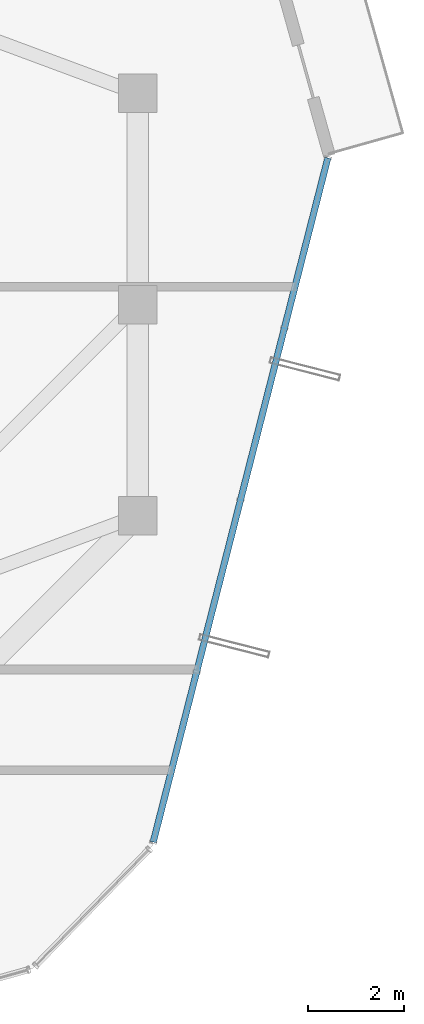
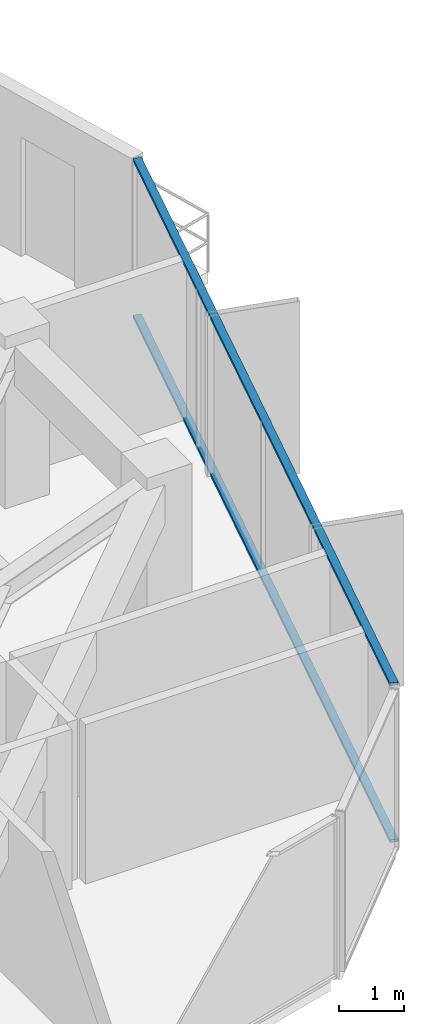
# One storey, part 19 of 29: 2 members, 1 element without a shape of its own.
"""IFC4 building model written with IfcOpenShell, lengths in metres."""

from ifc_helpers import new_model, si_unit, direction, frame, origin, origin_2d, place, context, subcontext, project, spatial, hollow_rectangle, extrude, source, transform, mapped, material, layer, layer_set, material_profile, profile_set, type_object, element, aggregate, save


model = new_model("IFC4")

# Units and contexts
model_context = context("Model", 3, precision=1e-05, world=origin(), true_north=direction((0.0, 1.0)))
body_context = subcontext(model_context, "Body", "Model", "MODEL_VIEW")
ifc_project = project(units=[si_unit("LENGTHUNIT", "METRE"), si_unit("AREAUNIT", "SQUARE_METRE"), si_unit("VOLUMEUNIT", "CUBIC_METRE"), si_unit("PLANEANGLEUNIT", "RADIAN"), si_unit("MASSUNIT", "GRAM", prefix="KILO")], contexts=[model_context])

# Site, building, storey
site_placement = place(None, origin())
site = spatial("IfcSite", under=ifc_project, at=site_placement, CompositionType="ELEMENT")
building_placement = place(site_placement, origin())
building = spatial("IfcBuilding", under=site, at=building_placement, Name="Veraguas Prism Commons", CompositionType="ELEMENT")
storey_placement = place(building_placement, frame((0.0, 0.0, 257.75)))
storey = spatial("IfcBuildingStorey", under=building, at=storey_placement, Name="L73", CompositionType="ELEMENT", Elevation=257.75)

# Curtain wall, members
ifc_material = material(Name="Anodised aluminium EN AW-6063 T6", Category="aluminium")
ifc_layer = layer(ifc_material, 0.14990234375, Name="Unitised Flush Curtain Wall Zone 4", Category="aluminium")
ifc_layer_set = layer_set([ifc_layer], Name="Anodised aluminium EN AW-6063 T6")
curtain_wall_type = type_object("IfcCurtainWallType", Name="Unitised Flush Curtain Wall Zone 4", PredefinedType="NOTDEFINED", material=ifc_layer_set)
curtain_wall_placement = place(storey_placement, origin())
curtain_wall = element("IfcCurtainWall", 1, at=curtain_wall_placement, inside=storey, type_object=curtain_wall_type, Name="Tower Facade Curtain Wall L73-F6", PredefinedType="NOTDEFINED")
ifc_material_profile = material_profile(ifc_material, hollow_rectangle(XDim=0.054931640625, YDim=0.135009765625, WallThickness=0.0029296875, at=origin_2d()), Name="AL55X135X3")
ifc_profile_set = profile_set([ifc_material_profile], Name="Anodised aluminium EN AW-6063 T6")
member_type = type_object("IfcMemberType", Name="Curtain Wall Transom Standard AL 55x135x3", PredefinedType="USERDEFINED", material=ifc_profile_set)
shared_shape = source(origin(), body_context, "Body", "SweptSolid", [
    extrude(hollow_rectangle(XDim=0.054931640625, YDim=0.135009765625, WallThickness=0.0029296875, at=origin_2d()), origin(), (0.0, 0.0, 1.0), 14.70654296875),
])
member_1_placement = place(storey_placement, frame((38.12451171875, 12.805419921875, 0.027587890625), z_axis=(0.24733715326, 0.968929477628, 0.0), x_axis=(0.0, 0.0, 1.0)))
member_1 = element("IfcMember", 2, at=member_1_placement, type_object=member_type, Name="CW-Z4 Transom 1", ObjectType="TRANSOM", PredefinedType="USERDEFINED", context=body_context, shape_type="MappedRepresentation", body=[
    mapped(shared_shape, transform((0.0, 0.0, 0.0), scale=1.0)),
])
member_2_placement = place(storey_placement, frame((38.12451171875, 12.805419921875, 2.987548828125), z_axis=(0.24733715326, 0.968929477628, 0.0), x_axis=(0.0, 0.0, 1.0)))
member_2 = element("IfcMember", 3, at=member_2_placement, type_object=member_type, Name="CW-Z4 Transom 2", ObjectType="TRANSOM", PredefinedType="USERDEFINED", context=body_context, shape_type="MappedRepresentation", body=[
    mapped(shared_shape, transform((0.0, 0.0, 0.0), scale=1.0)),
])
aggregate(curtain_wall, [member_1, member_2])

save(model, "model.ifc")
